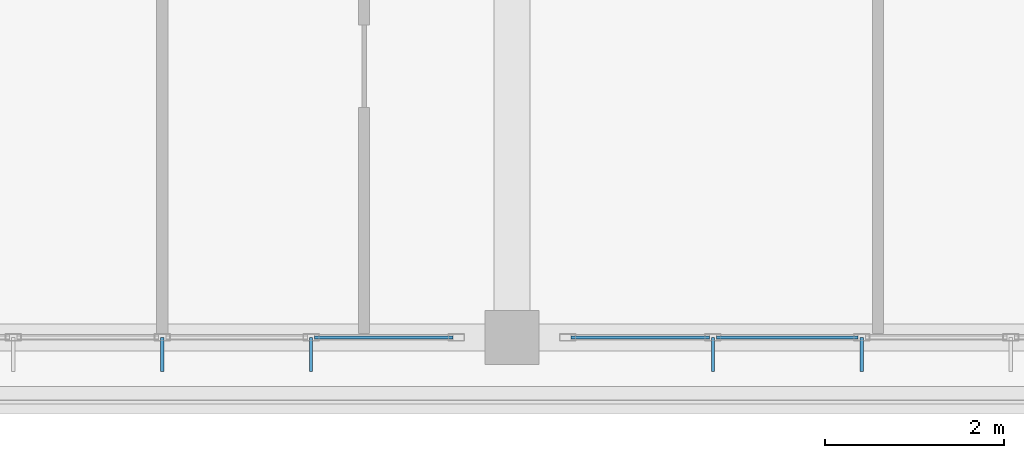
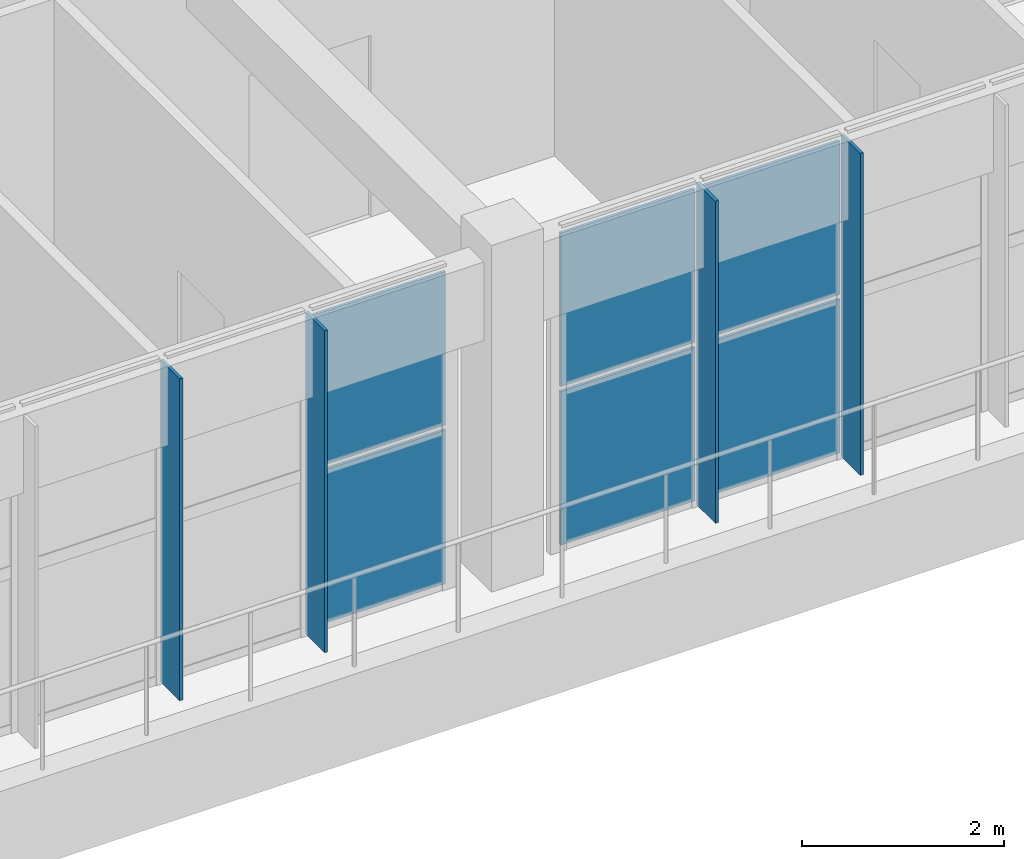
# One storey, part 40 of 56: 10 plates, 2 elements without a shape of their own.
"""IFC4 building model written with IfcOpenShell, lengths in metres."""

from ifc_helpers import new_model, si_unit, direction, frame, origin, origin_2d, place, context, subcontext, project, spatial, polyline, rectangle, outline, extrude, material, layer, layer_set, type_object, element, aggregate, save


model = new_model("IFC4")

# Units and contexts
model_context = context("Model", 3, precision=1e-05, world=origin(), true_north=direction((0.0, 1.0)))
body_context = subcontext(model_context, "Body", "Model", "MODEL_VIEW")
ifc_project = project(units=[si_unit("LENGTHUNIT", "METRE"), si_unit("AREAUNIT", "SQUARE_METRE"), si_unit("VOLUMEUNIT", "CUBIC_METRE"), si_unit("PLANEANGLEUNIT", "RADIAN"), si_unit("MASSUNIT", "GRAM", prefix="KILO")], contexts=[model_context])

# Site, building, storey
site_placement = place(None, origin())
site = spatial("IfcSite", under=ifc_project, at=site_placement, CompositionType="ELEMENT")
building_placement = place(site_placement, origin())
building = spatial("IfcBuilding", under=site, at=building_placement, Name="Zizhar Promenade General Hospital", CompositionType="ELEMENT")
storey_placement = place(building_placement, frame((0.0, 0.0, 26.39990234375)))
storey = spatial("IfcBuildingStorey", under=building, at=storey_placement, Name="L06", CompositionType="ELEMENT", Elevation=26.39990234375)

# Curtain wall, plates
ifc_material_1 = material(Name="Anodised aluminium 6063-T6 and low-E glass", Category="aluminium")
ifc_layer_1 = layer(ifc_material_1, 0.159912109375)
ifc_layer_set_1 = layer_set([ifc_layer_1], Name="Anodised aluminium 6063-T6 and low-E glass")
curtain_wall_type = type_object("IfcCurtainWallType", Name="CW-WARD-RIB", PredefinedType="NOTDEFINED", material=ifc_layer_set_1)
curtain_wall_1_placement = place(storey_placement, origin())
curtain_wall_1 = element("IfcCurtainWall", 1, at=curtain_wall_1_placement, inside=storey, type_object=curtain_wall_type, Name="Ward Ribbon Curtain Wall L06-17-4", PredefinedType="NOTDEFINED")
ifc_material_2 = material(Name="Low-E solar-control glass", Category="glass")
ifc_layer_2 = layer(ifc_material_2, 0.031982421875)
ifc_layer_set_2 = layer_set([ifc_layer_2], Name="Low-E solar-control glass")
plate_type_1 = type_object("IfcPlateType", Name="CWP-GLZ-32", PredefinedType="CURTAIN_PANEL", material=ifc_layer_set_2)
plate_1_placement = place(storey_placement, frame((81.070068359375, 0.0, 0.06005859375), z_axis=(0.0, 0.0, 1.0), x_axis=(-1.0, 0.0, 0.0)))
plate_1 = element("IfcPlate", 2, at=plate_1_placement, type_object=plate_type_1, Name="CW-13 panel 3.1", PredefinedType="CURTAIN_PANEL", context=body_context, shape_type="SweptSolid", body=[
    extrude(rectangle(XDim=1.580078125, YDim=0.031982421875, at=origin_2d()), origin(), (0.0, 0.0, 1.0), 1.860107421875),
])
plate_2_placement = place(storey_placement, frame((81.070068359375, 0.0, 1.97998046875), z_axis=(0.0, 0.0, 1.0), x_axis=(-1.0, 0.0, 0.0)))
plate_2 = element("IfcPlate", 3, at=plate_2_placement, type_object=plate_type_1, Name="CW-13 panel 3.2", PredefinedType="CURTAIN_PANEL", context=body_context, shape_type="SweptSolid", body=[
    extrude(rectangle(XDim=1.580078125, YDim=0.031982421875, at=origin_2d()), origin(), (0.0, 0.0, 1.0), 1.860107421875),
])
plate_3_placement = place(storey_placement, frame((79.429931640625, 0.0, 0.06005859375), z_axis=(0.0, 0.0, 1.0), x_axis=(-1.0, 0.0, 0.0)))
plate_3 = element("IfcPlate", 4, at=plate_3_placement, type_object=plate_type_1, Name="CW-13 panel 4.1", PredefinedType="CURTAIN_PANEL", context=body_context, shape_type="SweptSolid", body=[
    extrude(rectangle(XDim=1.5400390625, YDim=0.031982421875, at=origin_2d()), origin(), (0.0, 0.0, 1.0), 1.860107421875),
])
plate_4_placement = place(storey_placement, frame((79.429931640625, 0.0, 1.97998046875), z_axis=(0.0, 0.0, 1.0), x_axis=(-1.0, 0.0, 0.0)))
plate_4 = element("IfcPlate", 5, at=plate_4_placement, type_object=plate_type_1, Name="CW-13 panel 4.2", PredefinedType="CURTAIN_PANEL", context=body_context, shape_type="SweptSolid", body=[
    extrude(rectangle(XDim=1.5400390625, YDim=0.031982421875, at=origin_2d()), origin(), (0.0, 0.0, 1.0), 1.860107421875),
])
aggregate(curtain_wall_1, [plate_1, plate_2, plate_3, plate_4])

curtain_wall_2_placement = place(storey_placement, origin())
curtain_wall_2 = element("IfcCurtainWall", 6, at=curtain_wall_2_placement, inside=storey, type_object=curtain_wall_type, Name="Ward Ribbon Curtain Wall L06-17-5", PredefinedType="NOTDEFINED")
plate_5_placement = place(storey_placement, frame((76.570068359375, 0.0, 0.06005859375), z_axis=(0.0, 0.0, 1.0), x_axis=(-1.0, 0.0, 0.0)))
plate_5 = element("IfcPlate", 7, at=plate_5_placement, type_object=plate_type_1, Name="CW-13 panel 1.1", PredefinedType="CURTAIN_PANEL", context=body_context, shape_type="SweptSolid", body=[
    extrude(rectangle(XDim=1.5400390625, YDim=0.031982421875, at=origin_2d()), origin(), (0.0, 0.0, 1.0), 1.860107421875),
])
plate_6_placement = place(storey_placement, frame((76.570068359375, 0.0, 1.97998046875), z_axis=(0.0, 0.0, 1.0), x_axis=(-1.0, 0.0, 0.0)))
plate_6 = element("IfcPlate", 8, at=plate_6_placement, type_object=plate_type_1, Name="CW-13 panel 1.2", PredefinedType="CURTAIN_PANEL", context=body_context, shape_type="SweptSolid", body=[
    extrude(rectangle(XDim=1.5400390625, YDim=0.031982421875, at=origin_2d()), origin(), (0.0, 0.0, 1.0), 1.860107421875),
])
aggregate(curtain_wall_2, [plate_5, plate_6])

# Plates
ifc_material_3 = material(Name="Anodised aluminium 6063-T6", Category="aluminium")
ifc_layer_3 = layer(ifc_material_3, 0.035888671875)
ifc_layer_set_3 = layer_set([ifc_layer_3], Name="Anodised aluminium 6063-T6")
plate_type_2 = type_object("IfcPlateType", Name="FIN-ALU-380", PredefinedType="USERDEFINED", material=ifc_layer_set_3)
plate_7_placement = place(storey_placement, origin())
element("IfcPlate", 9, at=plate_7_placement, inside=storey, type_object=plate_type_2, Name="Ward Ribbon Curtain Wall L06-17-4 Solar Fin 2", ObjectType="SOLAR_SHADE", PredefinedType="USERDEFINED", context=body_context, shape_type="SweptSolid", body=[
    extrude(outline(polyline([(81.91796875, 0.0), (81.882080078125, 0.0), (81.882080078125, -0.3798828125), (81.91796875, -0.3798828125), (81.91796875, 0.0)])), origin(), (0.0, 0.0, 1.0), 3.900146484375),
])
plate_8_placement = place(storey_placement, origin())
element("IfcPlate", 10, at=plate_8_placement, inside=storey, type_object=plate_type_2, Name="Ward Ribbon Curtain Wall L06-17-4 Solar Fin 3", ObjectType="SOLAR_SHADE", PredefinedType="USERDEFINED", context=body_context, shape_type="SweptSolid", body=[
    extrude(outline(polyline([(80.258056640625, 0.0), (80.221923828125, 0.0), (80.221923828125, -0.3798828125), (80.258056640625, -0.3798828125), (80.258056640625, 0.0)])), origin(), (0.0, 0.0, 1.0), 3.900146484375),
])
plate_9_placement = place(storey_placement, origin())
element("IfcPlate", 11, at=plate_9_placement, inside=storey, type_object=plate_type_2, Name="Ward Ribbon Curtain Wall L06-17-5 Solar Fin 1", ObjectType="SOLAR_SHADE", PredefinedType="USERDEFINED", context=body_context, shape_type="SweptSolid", body=[
    extrude(outline(polyline([(75.778076171875, 0.0), (75.741943359375, 0.0), (75.741943359375, -0.3798828125), (75.778076171875, -0.3798828125), (75.778076171875, 0.0)])), origin(), (0.0, 0.0, 1.0), 3.900146484375),
])
plate_10_placement = place(storey_placement, origin())
element("IfcPlate", 12, at=plate_10_placement, inside=storey, type_object=plate_type_2, Name="Ward Ribbon Curtain Wall L06-17-5 Solar Fin 2", ObjectType="SOLAR_SHADE", PredefinedType="USERDEFINED", context=body_context, shape_type="SweptSolid", body=[
    extrude(outline(polyline([(74.117919921875, 0.0), (74.08203125, 0.0), (74.08203125, -0.3798828125), (74.117919921875, -0.3798828125), (74.117919921875, 0.0)])), origin(), (0.0, 0.0, 1.0), 3.900146484375),
])

save(model, "model.ifc")
